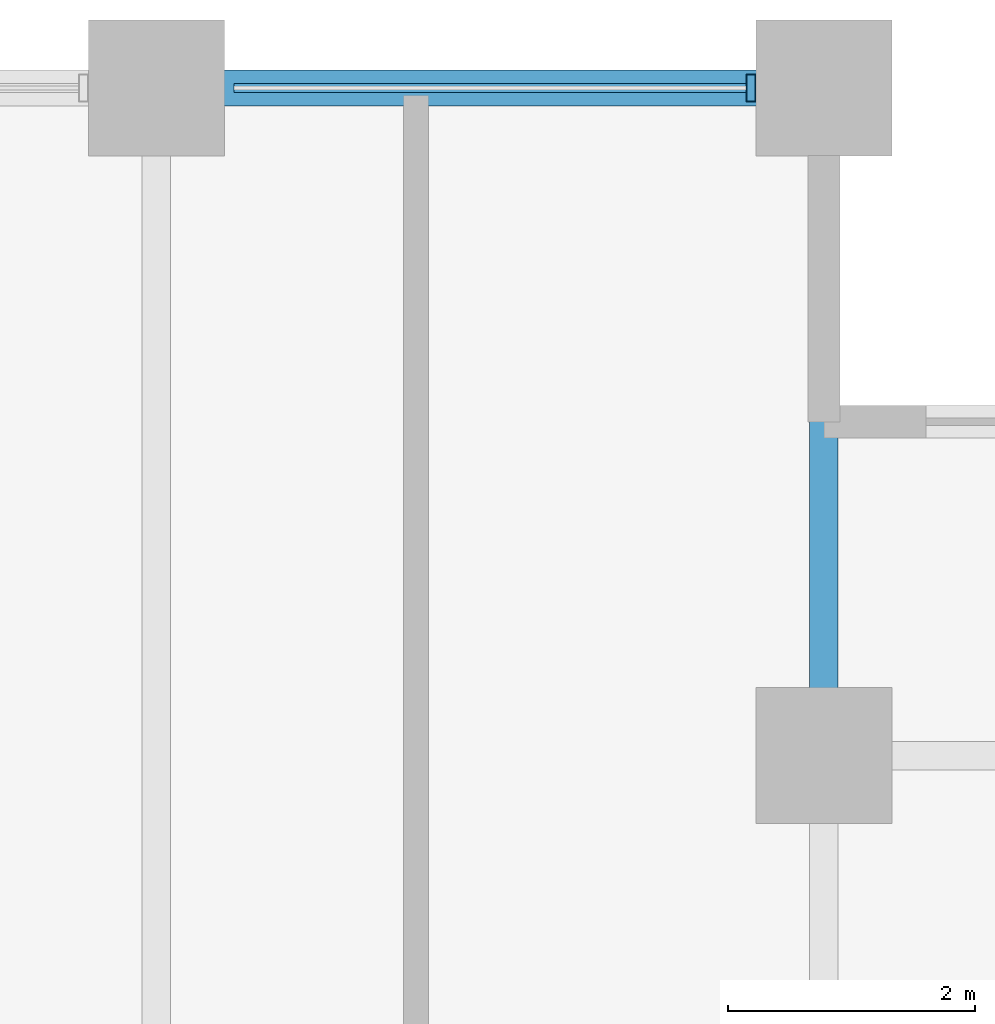
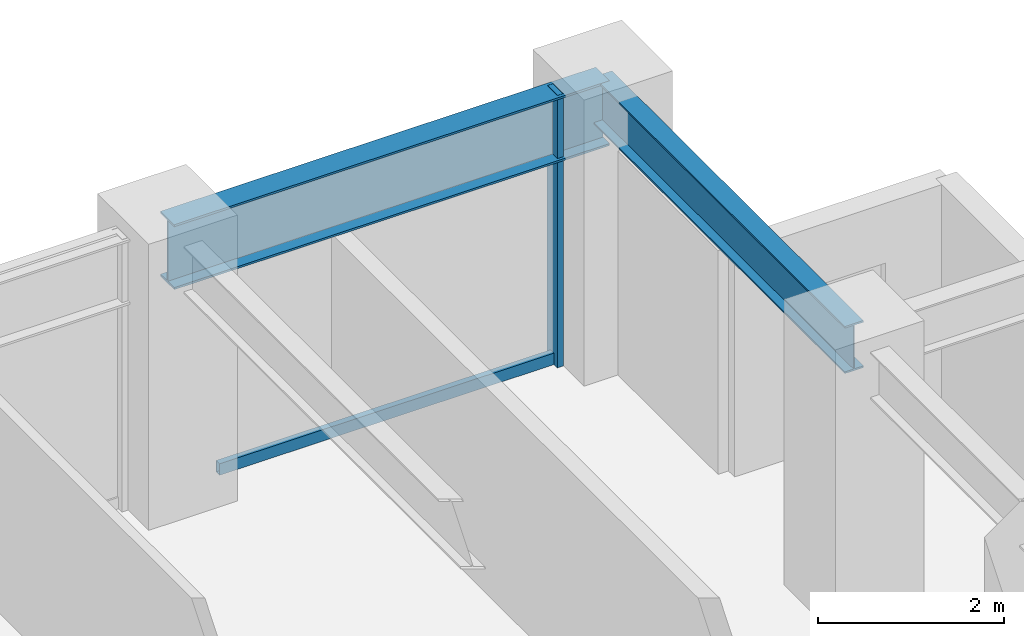
# One storey, part 19 of 29: 2 beams, 2 members, 1 element without a shape of its own.
"""IFC4 building model written with IfcOpenShell, lengths in metres."""

from ifc_helpers import new_model, si_unit, direction, frame, origin, origin_2d, place, context, subcontext, project, spatial, hollow_rectangle, i_section, extrude, material, layer, layer_set, material_profile, profile_set, type_object, element, aggregate, save


model = new_model("IFC4")

# Units and contexts
model_context = context("Model", 3, precision=1e-05, world=origin(), true_north=direction((0.0, 1.0)))
body_context = subcontext(model_context, "Body", "Model", "MODEL_VIEW")
ifc_project = project(units=[si_unit("LENGTHUNIT", "METRE"), si_unit("AREAUNIT", "SQUARE_METRE"), si_unit("VOLUMEUNIT", "CUBIC_METRE"), si_unit("PLANEANGLEUNIT", "RADIAN"), si_unit("MASSUNIT", "GRAM", prefix="KILO")], contexts=[model_context])

# Site, building, storey
site_placement = place(None, origin())
site = spatial("IfcSite", under=ifc_project, at=site_placement, CompositionType="ELEMENT")
building_placement = place(site_placement, origin())
building = spatial("IfcBuilding", under=site, at=building_placement, Name="Surkhivell Harbour Commons", CompositionType="ELEMENT")
storey_placement = place(building_placement, frame((0.0, 0.0, 87.0)))
storey = spatial("IfcBuildingStorey", under=building, at=storey_placement, Name="L22", CompositionType="ELEMENT", Elevation=87.0)

# Beams
ifc_material_1 = material(Name="Steel S355", Category="steel")
ifc_material_profile_1 = material_profile(ifc_material_1, i_section(OverallWidth=0.22998046875, OverallDepth=0.616943359375, WebThickness=0.01318359375, FlangeThickness=0.022216796875, at=origin_2d()), Name="UB610x229x140")
ifc_profile_set_1 = profile_set([ifc_material_profile_1], Name="Steel S355")
beam_type_1 = type_object("IfcBeamType", Name="BM-GRD-610B", PredefinedType="BEAM", material=ifc_profile_set_1)
beam_1_placement = place(storey_placement, frame((16.199951171875, 20.5, 3.261474609375), z_axis=(0.0, 1.0, 0.0), x_axis=(-1.0, 0.0, 0.0)))
element("IfcBeam", 1, at=beam_1_placement, inside=storey, type_object=beam_type_1, Name="L22 Floor Girder (16.2,20.5)", PredefinedType="BEAM", context=body_context, shape_type="SweptSolid", body=[
    extrude(i_section(OverallWidth=0.22998046875, OverallDepth=0.616943359375, WebThickness=0.01318359375, FlangeThickness=0.022216796875, at=origin_2d()), origin(), (0.0, 0.0, 1.0), 5.39990234375),
])
ifc_material_2 = material(Name="Steel S460", Category="steel")
ifc_material_profile_2 = material_profile(ifc_material_2, i_section(OverallWidth=0.2939453125, OverallDepth=0.85107421875, WebThickness=0.01611328125, FlangeThickness=0.02685546875, at=origin_2d()), Name="UB838x292x226")
ifc_profile_set_2 = profile_set([ifc_material_profile_2], Name="Steel S460")
beam_type_2 = type_object("IfcBeamType", Name="BM-SPN-838", PredefinedType="SPANDREL", material=ifc_profile_set_2)
beam_2_placement = place(storey_placement, frame((10.800048828125, 25.89990234375, 3.14453125), z_axis=(1.0, 0.0, 0.0), x_axis=(0.0, 1.0, 0.0)))
element("IfcBeam", 2, at=beam_2_placement, inside=storey, type_object=beam_type_2, Name="L22 Tube Spandrel (10.8,25.9)", PredefinedType="SPANDREL", context=body_context, shape_type="SweptSolid", body=[
    extrude(i_section(OverallWidth=0.2939453125, OverallDepth=0.85107421875, WebThickness=0.01611328125, FlangeThickness=0.02685546875, at=origin_2d()), origin(), (0.0, 0.0, 1.0), 5.39990234375),
])

# Curtain wall, members
ifc_material_3 = material(Name="Anodised pale-metal aluminium and insulated glazing", Category="aluminium")
ifc_layer = layer(ifc_material_3, 0.205078125)
ifc_layer_set = layer_set([ifc_layer], Name="Anodised pale-metal aluminium and insulated glazing")
curtain_wall_type = type_object("IfcCurtainWallType", Name="CW-SYS-Z2", PredefinedType="NOTDEFINED", material=ifc_layer_set)
curtain_wall_placement = place(storey_placement, origin())
curtain_wall = element("IfcCurtainWall", 3, at=curtain_wall_placement, inside=storey, type_object=curtain_wall_type, Name="L22 Curtain Wall CW-L22-E07S1", PredefinedType="NOTDEFINED")
ifc_material_4 = material(Name="Anodised pale-metal aluminium alloy 6063-T6", Category="aluminium")
ifc_material_profile_3 = material_profile(ifc_material_4, hollow_rectangle(XDim=0.074951171875, YDim=0.219970703125, WallThickness=0.00390625, at=origin_2d()), Name="ALU-MULL-75x220")
ifc_profile_set_3 = profile_set([ifc_material_profile_3], Name="Anodised pale-metal aluminium alloy 6063-T6")
member_type_1 = type_object("IfcMemberType", Name="CWM-220", PredefinedType="MULLION", material=ifc_profile_set_3)
member_1_placement = place(storey_placement, frame((15.610595703125, 25.89990234375, 0.0), z_axis=(0.0, 0.0, 1.0), x_axis=(-1.0, 0.0, 0.0)))
member_1 = element("IfcMember", 4, at=member_1_placement, type_object=member_type_1, Name="CW-Z2 mullion 1", PredefinedType="MULLION", context=body_context, shape_type="SweptSolid", body=[
    extrude(hollow_rectangle(XDim=0.074951171875, YDim=0.219970703125, WallThickness=0.00390625, at=origin_2d()), origin(), (0.0, 0.0, 1.0), 3.570068359375),
])
ifc_material_profile_4 = material_profile(ifc_material_4, hollow_rectangle(XDim=0.074951171875, YDim=0.14990234375, WallThickness=0.00341796875, at=origin_2d()), Name="ALU-TRAN-75x150")
ifc_profile_set_4 = profile_set([ifc_material_profile_4], Name="Anodised pale-metal aluminium alloy 6063-T6")
member_type_2 = type_object("IfcMemberType", Name="CWT-150", PredefinedType="USERDEFINED", material=ifc_profile_set_4)
member_2_placement = place(storey_placement, frame((15.572998046875, 25.89990234375, 0.074951171875), z_axis=(-1.0, 0.0, 0.0), x_axis=(0.0, -1.0, 0.0)))
member_2 = element("IfcMember", 5, at=member_2_placement, type_object=member_type_2, Name="CW-Z2 transom 1.1", ObjectType="TRANSOM", PredefinedType="USERDEFINED", context=body_context, shape_type="SweptSolid", body=[
    extrude(hollow_rectangle(XDim=0.074951171875, YDim=0.14990234375, WallThickness=0.00341796875, at=origin_2d()), origin(), (0.0, 0.0, 1.0), 4.14599609375),
])
aggregate(curtain_wall, [member_1, member_2])

save(model, "model.ifc")
